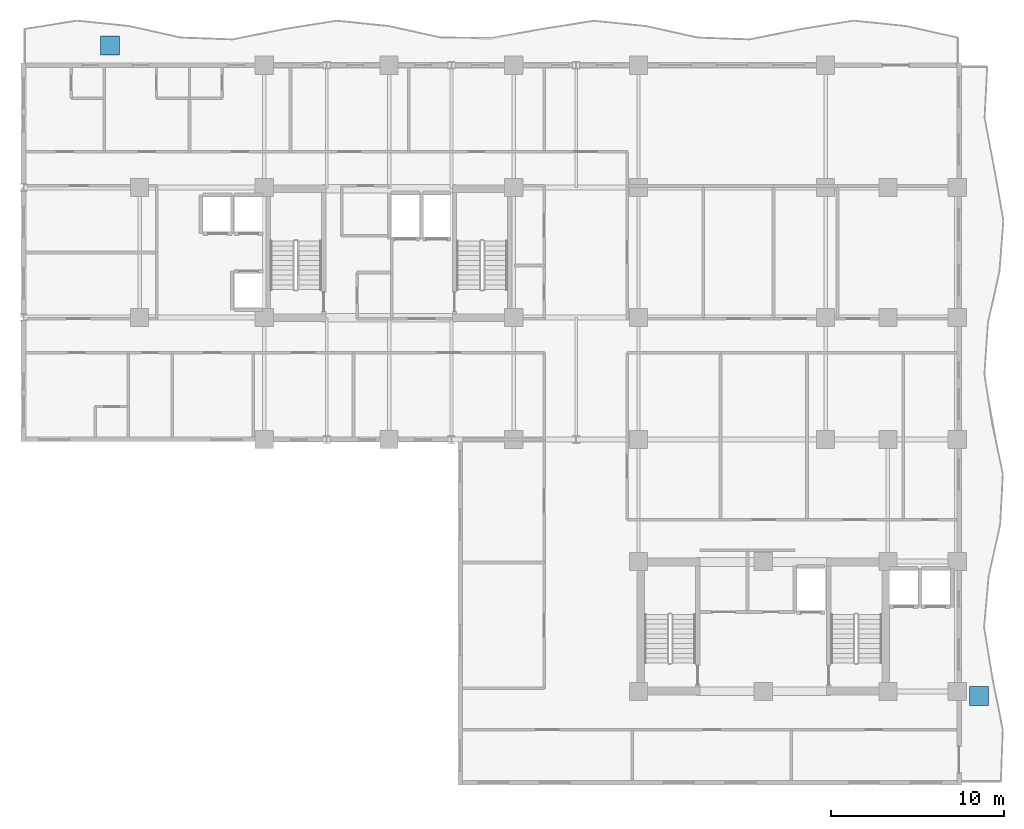
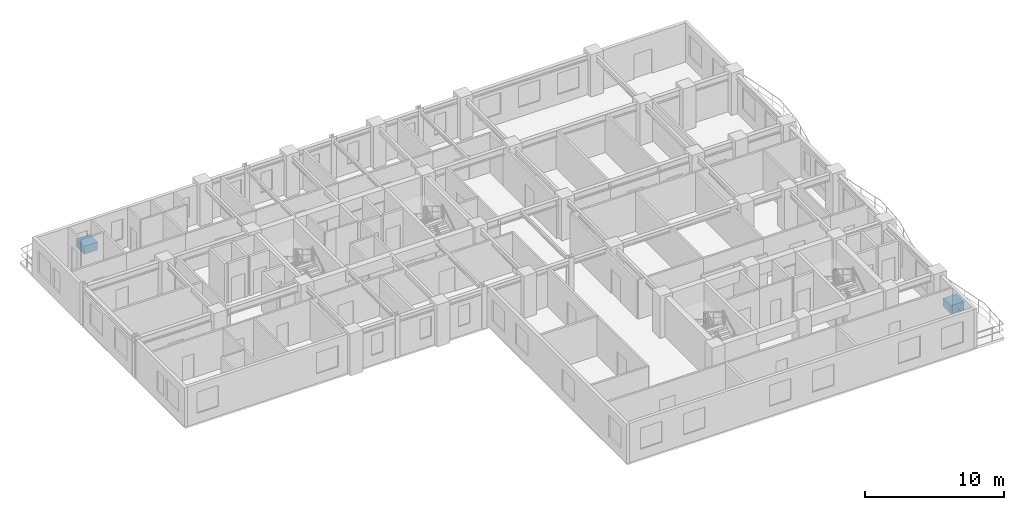
# One storey, part 10 of 13: 2 discrete accessories.
"""IFC4 building model written with IfcOpenShell, lengths in metres."""

from ifc_helpers import new_model, si_unit, direction, frame, origin, origin_2d, place, context, subcontext, project, spatial, rectangle, extrude, source, transform, mapped, material, type_object, element, save


model = new_model("IFC4")

# Units and contexts
model_context = context("Model", 3, precision=1e-05, world=origin(), true_north=direction((0.0, 1.0)))
body_context = subcontext(model_context, "Body", "Model", "MODEL_VIEW")
ifc_project = project(units=[si_unit("LENGTHUNIT", "METRE"), si_unit("AREAUNIT", "SQUARE_METRE"), si_unit("VOLUMEUNIT", "CUBIC_METRE"), si_unit("PLANEANGLEUNIT", "RADIAN"), si_unit("MASSUNIT", "GRAM", prefix="KILO")], contexts=[model_context])

# Site, building, storey
site_placement = place(None, origin())
site = spatial("IfcSite", under=ifc_project, at=site_placement, CompositionType="ELEMENT")
building_placement = place(site_placement, origin())
building = spatial("IfcBuilding", under=site, at=building_placement, Name="Kaliganga Portal Commons", CompositionType="ELEMENT")
storey_placement = place(building_placement, frame((0.0, 0.0, 162.39990234375)))
storey = spatial("IfcBuildingStorey", under=building, at=storey_placement, Name="L41", CompositionType="ELEMENT", Elevation=162.39990234375)

# Discrete accessories
ifc_material = material(Name="Precast concrete C40/50", Category="concrete")
discrete_accessory_type = type_object("IfcDiscreteAccessoryType", Name="DAC-PLANTER-RC", PredefinedType="USERDEFINED", material=ifc_material)
shared_shape = source(origin(), body_context, "Body", "SweptSolid", [
    extrude(rectangle(XDim=1.10009765625, YDim=1.10009765625, at=origin_2d()), origin(), (0.0, 0.0, 1.0), 0.719970703125),
])
for number, where, z_axis, x_axis, name in (
    (1, (5.5, 44.35009765625, 0.0), (0.0, 0.0, 1.0), (1.0, 0.0, 0.0), "Structural Tree Planter L41 balc_north"),
    (2, (55.64990234375, 6.800048828125, 0.0), (0.0, 0.0, 1.0), (1.0, 0.0, 0.0), "Structural Tree Planter L41 balc_east"),
):
    element("IfcDiscreteAccessory", number, at=place(storey_placement, frame(where, z_axis=z_axis, x_axis=x_axis)), inside=storey, type_object=discrete_accessory_type, Name=name, ObjectType="PLANTER", PredefinedType="USERDEFINED", context=body_context, shape_type="MappedRepresentation", body=[
        mapped(shared_shape, transform((0.0, 0.0, 0.0), x_axis=(1.0, 0.0, 0.0), y_axis=(0.0, 1.0, 0.0), z_axis=(0.0, 0.0, 1.0), scale=1.0)),
    ])

save(model, "model.ifc")
